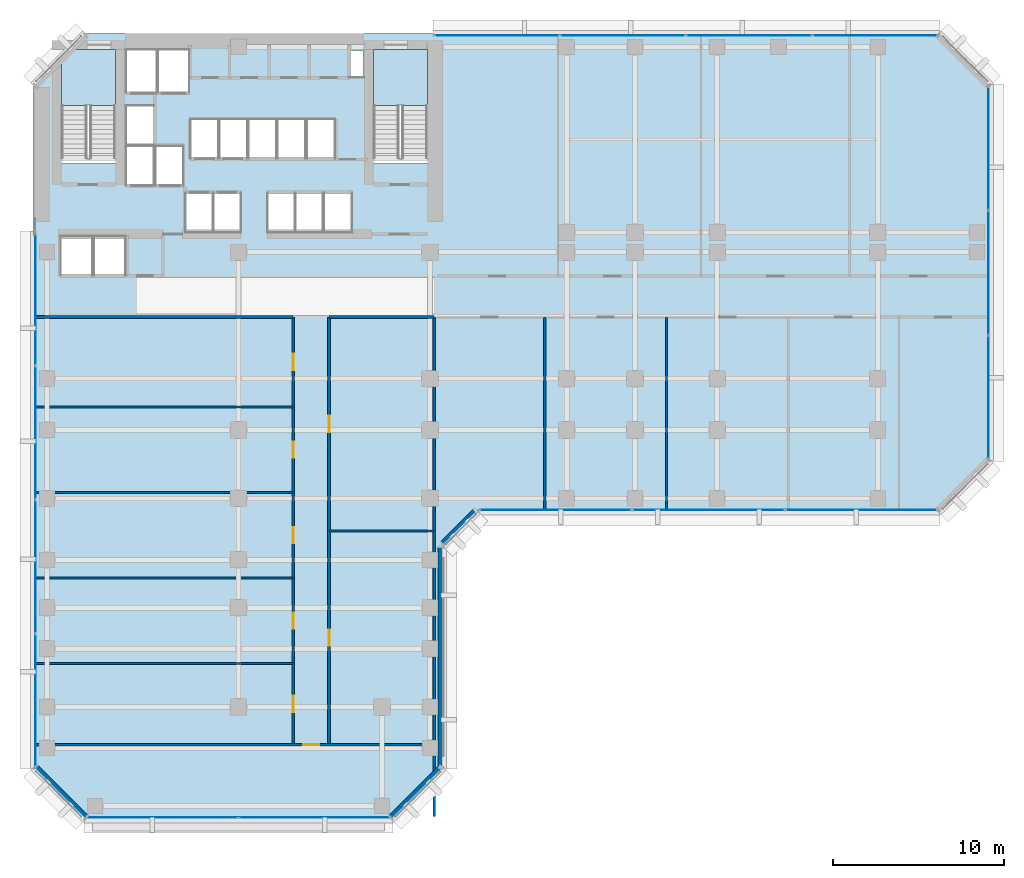
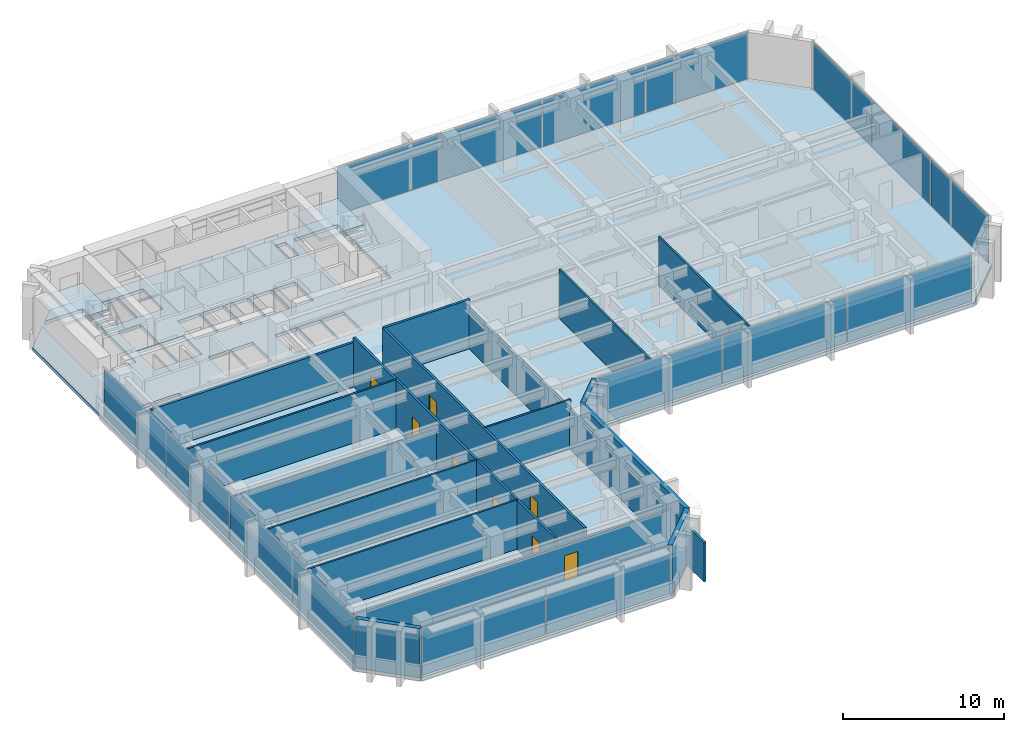
# One storey, part 6 of 13: 17 walls, 16 plates, 8 doors, 3 slabs, 8 openings, 7 elements without a shape of their own.
"""IFC4 building model written with IfcOpenShell, lengths in metres."""

from ifc_helpers import new_model, si_unit, direction, frame, frame_2d, origin, origin_2d, place, context, subcontext, project, spatial, polyline, rectangle, outline, extrude, material, layer, layer_set, type_object, element, fill, aggregate, save


model = new_model("IFC4")

# Units and contexts
model_context = context("Model", 3, precision=1e-05, world=origin(), true_north=direction((0.0, 1.0)))
body_context = subcontext(model_context, "Body", "Model", "MODEL_VIEW")
ifc_project = project(units=[si_unit("LENGTHUNIT", "METRE"), si_unit("AREAUNIT", "SQUARE_METRE"), si_unit("VOLUMEUNIT", "CUBIC_METRE"), si_unit("PLANEANGLEUNIT", "RADIAN"), si_unit("MASSUNIT", "GRAM", prefix="KILO")], contexts=[model_context])

# Site, building, storey
site_placement = place(None, origin())
site = spatial("IfcSite", under=ifc_project, at=site_placement, CompositionType="ELEMENT")
building_placement = place(site_placement, origin())
building = spatial("IfcBuilding", under=site, at=building_placement, Name="Kefirva Bronze Tower", CompositionType="ELEMENT")
storey_placement = place(building_placement, frame((0.0, 0.0, 58.080078125)))
storey = spatial("IfcBuildingStorey", under=building, at=storey_placement, Name="L13", CompositionType="ELEMENT", Elevation=58.080078125)

# Stair, slab
ifc_material_1 = material(Name="Concrete C40/50", Category="concrete")
stair_type = type_object("IfcStairType", Name="RC Dogleg Protected Stair 24R", PredefinedType="HALF_TURN_STAIR", material=ifc_material_1)
stair_1_placement = place(storey_placement, origin())
stair_1 = element("IfcStair", 1, at=stair_1_placement, inside=storey, type_object=stair_type, Name="L13 Protected Exit Stair 1", PredefinedType="HALF_TURN_STAIR")
ifc_layer_1 = layer(ifc_material_1, 0.199951171875, Name="Concrete C40/50")
ifc_layer_set_1 = layer_set([ifc_layer_1], Name="Concrete C40/50")
slab_type_1 = type_object("IfcSlabType", Name="RC Stair Landing Slab 200mm", PredefinedType="LANDING", material=ifc_layer_set_1)
slab_1_placement = place(storey_placement, frame((0.0, 0.0, 1.780029296875)))
slab_1 = element("IfcSlab", 2, at=slab_1_placement, type_object=slab_type_1, Name="ST-1 landing 1", PredefinedType="LANDING", context=body_context, shape_type="SweptSolid", body=[
    extrude(outline(polyline([(4.800048828125, 41.780029296875), (4.800048828125, 45.050048828125), (1.64990234375, 45.050048828125), (1.64990234375, 41.780029296875), (4.800048828125, 41.780029296875)])), origin(), (0.0, 0.0, 1.0), 0.199951171875),
])
aggregate(stair_1, [slab_1])

stair_2_placement = place(storey_placement, origin())
stair_2 = element("IfcStair", 3, at=stair_2_placement, inside=storey, type_object=stair_type, Name="L13 Protected Exit Stair 2", PredefinedType="HALF_TURN_STAIR")
slab_2_placement = place(storey_placement, frame((0.0, 0.0, 1.780029296875)))
slab_2 = element("IfcSlab", 4, at=slab_2_placement, type_object=slab_type_1, Name="ST-2 landing 1", PredefinedType="LANDING", context=body_context, shape_type="SweptSolid", body=[
    extrude(outline(polyline([(23.050048828125, 41.780029296875), (23.050048828125, 45.050048828125), (19.89990234375, 45.050048828125), (19.89990234375, 41.780029296875), (23.050048828125, 41.780029296875)])), origin(), (0.0, 0.0, 1.0), 0.199951171875),
])
aggregate(stair_2, [slab_2])

# Slab
ifc_layer_2 = layer(ifc_material_1, 0.25, Name="Concrete C40/50")
ifc_layer_set_2 = layer_set([ifc_layer_2], Name="Concrete C40/50")
slab_type_2 = type_object("IfcSlabType", Name="RC Tower Floor Slab 250mm", PredefinedType="FLOOR", material=ifc_layer_set_2)
slab_3_placement = place(storey_placement, frame((0.0, 0.0, -0.25)))
element("IfcSlab", 5, at=slab_3_placement, inside=storey, type_object=slab_type_2, Name="L13 Structural Floor Slab", PredefinedType="FLOOR", context=body_context, shape_type="SweptSolid", body=[
    extrude(outline(polyline([(0.0, 3.0), (0.0, 43.0), (1.64990234375, 44.64990234375), (1.64990234375, 38.39990234375), (4.800048828125, 38.39990234375), (4.800048828125, 45.050048828125), (2.050048828125, 45.050048828125), (3.0, 46.0), (53.0, 46.0), (56.0, 43.0), (56.0, 21.0), (53.0, 18.0), (26.0, 18.0), (24.0, 16.0), (24.0, 3.0), (21.0, 0.0), (3.0, 0.0), (0.0, 3.0)]), holes=[polyline([(19.89990234375, 38.39990234375), (23.050048828125, 38.39990234375), (23.050048828125, 45.050048828125), (19.89990234375, 45.050048828125), (19.89990234375, 38.39990234375)]), polyline([(18.52001953125, 43.419921875), (19.320068359375, 43.419921875), (19.320068359375, 45.0), (18.52001953125, 45.0), (18.52001953125, 43.419921875)]), polyline([(17.0, 34.35009765625), (18.64990234375, 34.35009765625), (18.64990234375, 36.64990234375), (17.0, 36.64990234375), (17.0, 34.35009765625)]), polyline([(17.64990234375, 38.679931640625), (17.64990234375, 40.97998046875), (16.0, 40.97998046875), (16.0, 38.679931640625), (17.64990234375, 38.679931640625)]), polyline([(16.949951171875, 34.35009765625), (16.949951171875, 36.64990234375), (15.35009765625, 36.64990234375), (15.35009765625, 34.35009765625), (16.949951171875, 34.35009765625)]), polyline([(15.929931640625, 38.679931640625), (15.929931640625, 40.97998046875), (14.300048828125, 40.97998046875), (14.300048828125, 38.679931640625), (15.929931640625, 38.679931640625)]), polyline([(15.300048828125, 34.35009765625), (15.300048828125, 36.64990234375), (13.699951171875, 36.64990234375), (13.699951171875, 34.35009765625), (15.300048828125, 34.35009765625)]), polyline([(14.22998046875, 38.679931640625), (14.22998046875, 40.97998046875), (12.60009765625, 40.97998046875), (12.60009765625, 38.679931640625), (14.22998046875, 38.679931640625)]), polyline([(10.89990234375, 38.679931640625), (12.530029296875, 38.679931640625), (12.530029296875, 40.97998046875), (10.89990234375, 40.97998046875), (10.89990234375, 38.679931640625)]), polyline([(12.139892578125, 34.35009765625), (12.139892578125, 36.64990234375), (10.5400390625, 36.64990234375), (10.5400390625, 34.35009765625), (12.139892578125, 34.35009765625)]), polyline([(10.830078125, 38.679931640625), (10.830078125, 40.97998046875), (9.199951171875, 40.97998046875), (9.199951171875, 38.679931640625), (10.830078125, 38.679931640625)]), polyline([(10.5, 34.35009765625), (10.5, 36.64990234375), (8.89990234375, 36.64990234375), (8.89990234375, 34.35009765625), (10.5, 34.35009765625)]), polyline([(7.300048828125, 42.550048828125), (9.1201171875, 42.550048828125), (9.1201171875, 45.050048828125), (7.300048828125, 45.050048828125), (7.300048828125, 42.550048828125)]), polyline([(7.139892578125, 37.10009765625), (8.780029296875, 37.10009765625), (8.780029296875, 39.39990234375), (7.139892578125, 39.39990234375), (7.139892578125, 37.10009765625)]), polyline([(5.419921875, 42.550048828125), (7.239990234375, 42.550048828125), (7.239990234375, 45.050048828125), (5.419921875, 45.050048828125), (5.419921875, 42.550048828125)]), polyline([(7.06005859375, 39.47998046875), (7.06005859375, 41.780029296875), (5.419921875, 41.780029296875), (5.419921875, 39.47998046875), (7.06005859375, 39.47998046875)]), polyline([(5.419921875, 37.10009765625), (7.06005859375, 37.10009765625), (7.06005859375, 39.39990234375), (5.419921875, 39.39990234375), (5.419921875, 37.10009765625)]), polyline([(5.39990234375, 31.85009765625), (5.39990234375, 34.14990234375), (3.550048828125, 34.14990234375), (3.550048828125, 31.85009765625), (5.39990234375, 31.85009765625)]), polyline([(3.449951171875, 31.85009765625), (3.449951171875, 34.14990234375), (1.60009765625, 34.14990234375), (1.60009765625, 31.85009765625), (3.449951171875, 31.85009765625)])]), origin(), (0.0, 0.0, 1.0), 0.25),
])

# Curtain wall, plates
ifc_material_2 = material(Name="Bronze anodised aluminium", Category="aluminium")
ifc_layer_3 = layer(ifc_material_2, 0.199951171875, Name="Bronze anodised aluminium")
ifc_layer_set_3 = layer_set([ifc_layer_3], Name="Bronze anodised aluminium")
curtain_wall_type = type_object("IfcCurtainWallType", Name="Unitised Bronze Ribbon Curtain Wall Zone 1", PredefinedType="USERDEFINED", material=ifc_layer_set_3)
curtain_wall_1_placement = place(storey_placement, origin())
curtain_wall_1 = element("IfcCurtainWall", 6, at=curtain_wall_1_placement, inside=storey, type_object=curtain_wall_type, Name="L13 Curtain Wall 1", ObjectType="UNITISED CURTAIN WALL", PredefinedType="USERDEFINED")
ifc_material_3 = material(Name="Laminated low-E double glazing", Category="glass")
ifc_layer_4 = layer(ifc_material_3, 0.031982421875, Name="Laminated low-E double glazing")
ifc_layer_set_4 = layer_set([ifc_layer_4], Name="Laminated low-E double glazing")
plate_type = type_object("IfcPlateType", Name="Solar-Control Low-E Vision Panel 32mm", PredefinedType="CURTAIN_PANEL", material=ifc_layer_set_4)
plate_1_placement = place(storey_placement, frame((7.546142578125, 0.1201171875, 0.074951171875), z_axis=(0.0, 0.0, 1.0), x_axis=(1.0, 0.0, 0.0)))
plate_1 = element("IfcPlate", 7, at=plate_1_placement, type_object=plate_type, Name="CW-01 panel 1.1", PredefinedType="CURTAIN_PANEL", context=body_context, shape_type="SweptSolid", body=[
    extrude(rectangle(XDim=8.83251953125, YDim=0.031982421875, at=origin_2d()), origin(), (0.0, 0.0, 1.0), 3.56005859375),
])
plate_2_placement = place(storey_placement, frame((16.453857421875, 0.1201171875, 0.074951171875), z_axis=(0.0, 0.0, 1.0), x_axis=(1.0, 0.0, 0.0)))
plate_2 = element("IfcPlate", 8, at=plate_2_placement, type_object=plate_type, Name="CW-01 panel 2.1", PredefinedType="CURTAIN_PANEL", context=body_context, shape_type="SweptSolid", body=[
    extrude(rectangle(XDim=8.83251953125, YDim=0.031982421875, at=origin_2d()), origin(), (0.0, 0.0, 1.0), 3.56005859375),
])
aggregate(curtain_wall_1, [plate_1, plate_2])

curtain_wall_2_placement = place(storey_placement, origin())
curtain_wall_2 = element("IfcCurtainWall", 9, at=curtain_wall_2_placement, inside=storey, type_object=curtain_wall_type, Name="L13 Curtain Wall 2", ObjectType="UNITISED CURTAIN WALL", PredefinedType="USERDEFINED")
plate_3_placement = place(storey_placement, frame((30.555419921875, 18.1201171875, 0.074951171875), z_axis=(0.0, 0.0, 1.0), x_axis=(1.0, 0.0, 0.0)))
plate_3 = element("IfcPlate", 10, at=plate_3_placement, type_object=plate_type, Name="CW-01 panel 1.1", PredefinedType="CURTAIN_PANEL", context=body_context, shape_type="SweptSolid", body=[
    extrude(rectangle(XDim=8.850830078125, YDim=0.031982421875, at=origin_2d()), origin(), (0.0, 0.0, 1.0), 3.56005859375),
])
plate_4_placement = place(storey_placement, frame((39.5, 18.1201171875, 0.074951171875), z_axis=(0.0, 0.0, 1.0), x_axis=(1.0, 0.0, 0.0)))
plate_4 = element("IfcPlate", 11, at=plate_4_placement, type_object=plate_type, Name="CW-01 panel 2.1", PredefinedType="CURTAIN_PANEL", context=body_context, shape_type="SweptSolid", body=[
    extrude(rectangle(XDim=8.888427734375, YDim=0.031982421875, at=origin_2d()), origin(), (0.0, 0.0, 1.0), 3.56005859375),
])
plate_5_placement = place(storey_placement, frame((48.444580078125, 18.1201171875, 0.074951171875), z_axis=(0.0, 0.0, 1.0), x_axis=(1.0, 0.0, 0.0)))
plate_5 = element("IfcPlate", 12, at=plate_5_placement, type_object=plate_type, Name="CW-01 panel 3.1", PredefinedType="CURTAIN_PANEL", context=body_context, shape_type="SweptSolid", body=[
    extrude(rectangle(XDim=8.850830078125, YDim=0.031982421875, at=origin_2d()), origin(), (0.0, 0.0, 1.0), 3.56005859375),
])
aggregate(curtain_wall_2, [plate_3, plate_4, plate_5])

curtain_wall_3_placement = place(storey_placement, origin())
curtain_wall_3 = element("IfcCurtainWall", 13, at=curtain_wall_3_placement, inside=storey, type_object=curtain_wall_type, Name="L13 Curtain Wall 3", ObjectType="UNITISED CURTAIN WALL", PredefinedType="USERDEFINED")
plate_6_placement = place(storey_placement, frame((55.8798828125, 24.72216796875, 0.074951171875), z_axis=(0.0, 0.0, 1.0), x_axis=(0.0, 1.0, 0.0)))
plate_6 = element("IfcPlate", 14, at=plate_6_placement, type_object=plate_type, Name="CW-01 panel 1.1", PredefinedType="CURTAIN_PANEL", context=body_context, shape_type="SweptSolid", body=[
    extrude(rectangle(XDim=7.18408203125, YDim=0.031982421875, at=origin_2d()), origin(), (0.0, 0.0, 1.0), 3.56005859375),
])
plate_7_placement = place(storey_placement, frame((55.8798828125, 32.0, 0.074951171875), z_axis=(0.0, 0.0, 1.0), x_axis=(0.0, 1.0, 0.0)))
plate_7 = element("IfcPlate", 15, at=plate_7_placement, type_object=plate_type, Name="CW-01 panel 2.1", PredefinedType="CURTAIN_PANEL", context=body_context, shape_type="SweptSolid", body=[
    extrude(rectangle(XDim=7.2216796875, YDim=0.031982421875, at=origin_2d()), origin(), (0.0, 0.0, 1.0), 3.56005859375),
])
plate_8_placement = place(storey_placement, frame((55.8798828125, 39.27783203125, 0.074951171875), z_axis=(0.0, 0.0, 1.0), x_axis=(0.0, 1.0, 0.0)))
plate_8 = element("IfcPlate", 16, at=plate_8_placement, type_object=plate_type, Name="CW-01 panel 3.1", PredefinedType="CURTAIN_PANEL", context=body_context, shape_type="SweptSolid", body=[
    extrude(rectangle(XDim=7.18408203125, YDim=0.031982421875, at=origin_2d()), origin(), (0.0, 0.0, 1.0), 3.56005859375),
])
aggregate(curtain_wall_3, [plate_6, plate_7, plate_8])

curtain_wall_4_placement = place(storey_placement, origin())
curtain_wall_4 = element("IfcCurtainWall", 17, at=curtain_wall_4_placement, inside=storey, type_object=curtain_wall_type, Name="L13 Curtain Wall 4", ObjectType="UNITISED CURTAIN WALL", PredefinedType="USERDEFINED")
plate_9_placement = place(storey_placement, frame((49.233642578125, 45.8798828125, 0.074951171875), z_axis=(0.0, 0.0, 1.0), x_axis=(-1.0, 0.0, 0.0)))
plate_9 = element("IfcPlate", 18, at=plate_9_placement, type_object=plate_type, Name="CW-01 panel 1.1", PredefinedType="CURTAIN_PANEL", context=body_context, shape_type="SweptSolid", body=[
    extrude(rectangle(XDim=7.2724609375, YDim=0.031982421875, at=origin_2d()), origin(), (0.0, 0.0, 1.0), 3.56005859375),
])
plate_10_placement = place(storey_placement, frame((41.867431640625, 45.8798828125, 0.074951171875), z_axis=(0.0, 0.0, 1.0), x_axis=(-1.0, 0.0, 0.0)))
plate_10 = element("IfcPlate", 19, at=plate_10_placement, type_object=plate_type, Name="CW-01 panel 2.1", PredefinedType="CURTAIN_PANEL", context=body_context, shape_type="SweptSolid", body=[
    extrude(rectangle(XDim=7.31005859375, YDim=0.031982421875, at=origin_2d()), origin(), (0.0, 0.0, 1.0), 3.56005859375),
])
plate_11_placement = place(storey_placement, frame((34.482421875, 45.8798828125, 0.074951171875), z_axis=(0.0, 0.0, 1.0), x_axis=(-1.0, 0.0, 0.0)))
plate_11 = element("IfcPlate", 20, at=plate_11_placement, type_object=plate_type, Name="CW-01 panel 3.1", PredefinedType="CURTAIN_PANEL", context=body_context, shape_type="SweptSolid", body=[
    extrude(rectangle(XDim=7.31005859375, YDim=0.031982421875, at=origin_2d()), origin(), (0.0, 0.0, 1.0), 3.56005859375),
])
plate_12_placement = place(storey_placement, frame((27.1162109375, 45.8798828125, 0.074951171875), z_axis=(0.0, 0.0, 1.0), x_axis=(-1.0, 0.0, 0.0)))
plate_12 = element("IfcPlate", 21, at=plate_12_placement, type_object=plate_type, Name="CW-01 panel 4.1", PredefinedType="CURTAIN_PANEL", context=body_context, shape_type="SweptSolid", body=[
    extrude(rectangle(XDim=7.2724609375, YDim=0.031982421875, at=origin_2d()), origin(), (0.0, 0.0, 1.0), 3.56005859375),
])
aggregate(curtain_wall_4, [plate_9, plate_10, plate_11, plate_12])

curtain_wall_5_placement = place(storey_placement, origin())
curtain_wall_5 = element("IfcCurtainWall", 22, at=curtain_wall_5_placement, inside=storey, type_object=curtain_wall_type, Name="L13 Curtain Wall 5", ObjectType="UNITISED CURTAIN WALL", PredefinedType="USERDEFINED")
plate_13_placement = place(storey_placement, frame((0.1201171875, 30.458740234375, 0.074951171875), z_axis=(0.0, 0.0, 1.0), x_axis=(0.0, -1.0, 0.0)))
plate_13 = element("IfcPlate", 23, at=plate_13_placement, type_object=plate_type, Name="CW-01 panel 1.1", PredefinedType="CURTAIN_PANEL", context=body_context, shape_type="SweptSolid", body=[
    extrude(rectangle(XDim=7.722412109375, YDim=0.031982421875, at=origin_2d()), origin(), (0.0, 0.0, 1.0), 3.56005859375),
])
plate_14_placement = place(storey_placement, frame((0.1201171875, 22.642578125, 0.074951171875), z_axis=(0.0, 0.0, 1.0), x_axis=(0.0, -1.0, 0.0)))
plate_14 = element("IfcPlate", 24, at=plate_14_placement, type_object=plate_type, Name="CW-01 panel 2.1", PredefinedType="CURTAIN_PANEL", context=body_context, shape_type="SweptSolid", body=[
    extrude(rectangle(XDim=7.760009765625, YDim=0.031982421875, at=origin_2d()), origin(), (0.0, 0.0, 1.0), 3.56005859375),
])
plate_15_placement = place(storey_placement, frame((0.1201171875, 14.8076171875, 0.074951171875), z_axis=(0.0, 0.0, 1.0), x_axis=(0.0, -1.0, 0.0)))
plate_15 = element("IfcPlate", 25, at=plate_15_placement, type_object=plate_type, Name="CW-01 panel 3.1", PredefinedType="CURTAIN_PANEL", context=body_context, shape_type="SweptSolid", body=[
    extrude(rectangle(XDim=7.760009765625, YDim=0.031982421875, at=origin_2d()), origin(), (0.0, 0.0, 1.0), 3.56005859375),
])
plate_16_placement = place(storey_placement, frame((0.1201171875, 6.9912109375, 0.074951171875), z_axis=(0.0, 0.0, 1.0), x_axis=(0.0, -1.0, 0.0)))
plate_16 = element("IfcPlate", 26, at=plate_16_placement, type_object=plate_type, Name="CW-01 panel 4.1", PredefinedType="CURTAIN_PANEL", context=body_context, shape_type="SweptSolid", body=[
    extrude(rectangle(XDim=7.722412109375, YDim=0.031982421875, at=origin_2d()), origin(), (0.0, 0.0, 1.0), 3.56005859375),
])
aggregate(curtain_wall_5, [plate_13, plate_14, plate_15, plate_16])

# Walls
ifc_material_4 = material(Name="Gypsum acoustic partition")
ifc_layer_5 = layer(ifc_material_4, 0.1298828125, Name="Gypsum acoustic partition")
ifc_layer_set_5 = layer_set([ifc_layer_5], Name="Gypsum acoustic partition")
wall_type_1 = type_object("IfcWallType", Name="Acoustic Office Partition 130mm", PredefinedType="PARTITIONING", material=ifc_layer_set_5)
for number, where, z_axis, x_axis, name in (
    (27, (0.18994140625, 9.141845703125, 0.0), (0.0, 0.0, 1.0), (1.0, 0.0, 0.0), "L13 Partition W-L13-SWD1"),
    (28, (0.18994140625, 14.143798828125, 0.0), (0.0, 0.0, 1.0), (1.0, 0.0, 0.0), "L13 Partition W-L13-SWD2"),
):
    element("IfcWall", number, at=place(storey_placement, frame(where, z_axis=z_axis, x_axis=x_axis)), inside=storey, type_object=wall_type_1, Name=name, PredefinedType="PARTITIONING", context=body_context, shape_type="SweptSolid", body=[
        extrude(rectangle(XDim=15.010009765625, YDim=0.1298828125, at=frame_2d((7.5048828125, 0.0))), origin(), (0.0, 0.0, 1.0), 3.7099609375),
    ])
wall_1_placement = place(storey_placement, frame((0.18994140625, 19.14599609375, 0.0), z_axis=(0.0, 0.0, 1.0), x_axis=(1.0, 0.0, 0.0)))
element("IfcWall", 29, at=wall_1_placement, inside=storey, type_object=wall_type_1, Name="L13 Partition W-L13-SWD3", PredefinedType="PARTITIONING", context=body_context, shape_type="SweptSolid", body=[
    extrude(rectangle(XDim=15.010009765625, YDim=0.1298828125, at=frame_2d((7.5048828125, 0.0))), origin(), (0.0, 0.0, 1.0), 2.994873046875),
])
wall_2_placement = place(storey_placement, frame((0.18994140625, 24.14794921875, 0.0), z_axis=(0.0, 0.0, 1.0), x_axis=(1.0, 0.0, 0.0)))
element("IfcWall", 30, at=wall_2_placement, inside=storey, type_object=wall_type_1, Name="L13 Partition W-L13-SWD4", PredefinedType="PARTITIONING", context=body_context, shape_type="SweptSolid", body=[
    extrude(rectangle(XDim=15.010009765625, YDim=0.1298828125, at=frame_2d((7.5048828125, 0.0))), origin(), (0.0, 0.0, 1.0), 3.7099609375),
])
wall_3_placement = place(storey_placement, frame((17.300048828125, 16.89501953125, 0.0), z_axis=(0.0, 0.0, 1.0), x_axis=(1.0, 0.0, 0.0)))
element("IfcWall", 31, at=wall_3_placement, inside=storey, type_object=wall_type_1, Name="L13 Partition W-L13-SED1", PredefinedType="PARTITIONING", context=body_context, shape_type="SweptSolid", body=[
    extrude(rectangle(XDim=6.14990234375, YDim=0.1298828125, at=frame_2d((3.074951171875, 0.0))), origin(), (0.0, 0.0, 1.0), 3.7099609375),
])
for number, where, z_axis, x_axis, name in (
    (32, (29.922119140625, 18.18994140625, 0.0), (0.0, 0.0, 1.0), (0.0, 1.0, 0.0), "L13 Partition W-L13-ESD1"),
    (33, (37.041259765625, 18.18994140625, 0.0), (0.0, 0.0, 1.0), (0.0, 1.0, 0.0), "L13 Partition W-L13-ESD2"),
):
    element("IfcWall", number, at=place(storey_placement, frame(where, z_axis=z_axis, x_axis=x_axis)), inside=storey, type_object=wall_type_1, Name=name, PredefinedType="PARTITIONING", context=body_context, shape_type="SweptSolid", body=[
        extrude(rectangle(XDim=11.2099609375, YDim=0.1298828125, at=frame_2d((5.60498046875, 0.0))), origin(), (0.0, 0.0, 1.0), 3.7099609375),
    ])
ifc_material_5 = material(Name="Precast concrete C40/50", Category="concrete")
ifc_layer_6 = layer(ifc_material_5, 0.320068359375, Name="Precast concrete C40/50")
ifc_layer_set_6 = layer_set([ifc_layer_6], Name="Precast concrete C40/50")
wall_type_2 = type_object("IfcWallType", Name="Precast Insulated Exterior Wall 320mm", PredefinedType="SOLIDWALL", material=ifc_layer_set_6)
wall_4_placement = place(storey_placement, frame((20.92578125, 0.152099609375, 0.0), z_axis=(0.0, 0.0, 1.0), x_axis=(0.707106781187, 0.707106781187, 0.0)))
element("IfcWall", 34, at=wall_4_placement, inside=storey, type_object=wall_type_2, Name="L13 Exterior Facade Wall 1", PredefinedType="SOLIDWALL", context=body_context, shape_type="SweptSolid", body=[
    extrude(rectangle(XDim=4.132568359375, YDim=0.320068359375, at=frame_2d((2.06640625, 0.0))), origin(), (0.0, 0.0, 1.0), 3.7099609375),
])
wall_5_placement = place(storey_placement, frame((23.840087890625, 3.054931640625, 0.0), z_axis=(0.0, 0.0, 1.0), x_axis=(0.0, 1.0, 0.0)))
element("IfcWall", 35, at=wall_5_placement, inside=storey, type_object=wall_type_2, Name="L13 Exterior Facade Wall 2", PredefinedType="SOLIDWALL", context=body_context, shape_type="SweptSolid", body=[
    extrude(rectangle(XDim=12.89013671875, YDim=0.320068359375, at=frame_2d((6.445068359375, 0.0))), origin(), (0.0, 0.0, 1.0), 3.7099609375),
])
wall_6_placement = place(storey_placement, frame((23.92578125, 16.152099609375, 0.0), z_axis=(0.0, 0.0, 1.0), x_axis=(0.707106781187, 0.707106781187, 0.0)))
element("IfcWall", 36, at=wall_6_placement, inside=storey, type_object=wall_type_2, Name="L13 Exterior Facade Wall 3", PredefinedType="SOLIDWALL", context=body_context, shape_type="SweptSolid", body=[
    extrude(rectangle(XDim=2.71826171875, YDim=0.320068359375, at=frame_2d((1.359130859375, 0.0))), origin(), (0.0, 0.0, 1.0), 3.7099609375),
])
wall_7_placement = place(storey_placement, frame((0.152099609375, 3.07421875, 0.0), z_axis=(0.0, 0.0, 1.0), x_axis=(0.707106781187, -0.707106781187, 0.0)))
element("IfcWall", 37, at=wall_7_placement, inside=storey, type_object=wall_type_2, Name="L13 Exterior Facade Wall 7", PredefinedType="SOLIDWALL", context=body_context, shape_type="SweptSolid", body=[
    extrude(rectangle(XDim=4.132568359375, YDim=0.320068359375, at=frame_2d((2.06640625, 0.0))), origin(), (0.0, 0.0, 1.0), 3.7099609375),
])

# Wall, openings, doors
ifc_layer_7 = layer(ifc_material_4, 0.159912109375, Name="Gypsum acoustic partition")
ifc_layer_set_7 = layer_set([ifc_layer_7], Name="Gypsum acoustic partition")
wall_type_3 = type_object("IfcWallType", Name="Protected Corridor Partition 160mm", PredefinedType="PARTITIONING", material=ifc_layer_set_7)
wall_8_placement = place(storey_placement, frame((15.199951171875, 4.389892578125, 0.0), z_axis=(0.0, 0.0, 1.0), x_axis=(0.0, 1.0, 0.0)))
wall_8 = element("IfcWall", 38, at=wall_8_placement, inside=storey, type_object=wall_type_3, Name="L13 Partition W-L13-SWCORW", PredefinedType="PARTITIONING", context=body_context, shape_type="SweptSolid", body=[
    extrude(rectangle(XDim=25.010009765625, YDim=0.159912109375, at=frame_2d((12.5048828125, 0.0))), origin(), (0.0, 0.0, 1.0), 3.7099609375),
])
opening_1_placement = place(wall_8_placement, frame((2.850830078125, 0.0, 0.0), z_axis=(0.0, 0.0, 1.0), x_axis=(-1.0, 0.0, 0.0)))
opening_1 = element("IfcOpeningElement", 39, at=opening_1_placement, cuts=wall_8, Name="Opening L13-D-SW1", PredefinedType="OPENING", context=body_context, shape_type="SweptSolid", body=[
    extrude(rectangle(XDim=0.949951171875, YDim=2.14990234375, at=frame_2d((0.47509765625, 1.074951171875))), frame((0.0, 0.08984375, 0.0), z_axis=(0.0, -1.0, 0.0), x_axis=(1.0, 0.0, 0.0)), (0.0, 0.0, 1.0), 0.179931640625),
])
opening_2_placement = place(wall_8_placement, frame((7.727783203125, 0.0, 0.0), z_axis=(0.0, 0.0, 1.0), x_axis=(-1.0, 0.0, 0.0)))
opening_2 = element("IfcOpeningElement", 40, at=opening_2_placement, cuts=wall_8, Name="Opening L13-D-SW2", PredefinedType="OPENING", context=body_context, shape_type="SweptSolid", body=[
    extrude(rectangle(XDim=0.949951171875, YDim=2.14990234375, at=frame_2d((0.47509765625, 1.074951171875))), frame((0.0, 0.08984375, 0.0), z_axis=(0.0, -1.0, 0.0), x_axis=(1.0, 0.0, 0.0)), (0.0, 0.0, 1.0), 0.179931640625),
])
opening_3_placement = place(wall_8_placement, frame((12.729736328125, 0.0, 0.0), z_axis=(0.0, 0.0, 1.0), x_axis=(-1.0, 0.0, 0.0)))
opening_3 = element("IfcOpeningElement", 41, at=opening_3_placement, cuts=wall_8, Name="Opening L13-D-SW3", PredefinedType="OPENING", context=body_context, shape_type="SweptSolid", body=[
    extrude(rectangle(XDim=0.949951171875, YDim=2.14990234375, at=frame_2d((0.47509765625, 1.074951171875))), frame((0.0, 0.08984375, 0.0), z_axis=(0.0, -1.0, 0.0), x_axis=(1.0, 0.0, 0.0)), (0.0, 0.0, 1.0), 0.179931640625),
])
opening_4_placement = place(wall_8_placement, frame((17.73193359375, 0.0, 0.0), z_axis=(0.0, 0.0, 1.0), x_axis=(-1.0, 0.0, 0.0)))
opening_4 = element("IfcOpeningElement", 42, at=opening_4_placement, cuts=wall_8, Name="Opening L13-D-SW4", PredefinedType="OPENING", context=body_context, shape_type="SweptSolid", body=[
    extrude(rectangle(XDim=0.949951171875, YDim=2.14990234375, at=frame_2d((0.47509765625, 1.074951171875))), frame((0.0, 0.08984375, 0.0), z_axis=(0.0, -1.0, 0.0), x_axis=(1.0, 0.0, 0.0)), (0.0, 0.0, 1.0), 0.179931640625),
])
opening_5_placement = place(wall_8_placement, frame((22.85888671875, 0.0, 0.0), z_axis=(0.0, 0.0, 1.0), x_axis=(-1.0, 0.0, 0.0)))
opening_5 = element("IfcOpeningElement", 43, at=opening_5_placement, cuts=wall_8, Name="Opening L13-D-SW5", PredefinedType="OPENING", context=body_context, shape_type="SweptSolid", body=[
    extrude(rectangle(XDim=0.949951171875, YDim=2.14990234375, at=frame_2d((0.47509765625, 1.074951171875))), frame((0.0, 0.08984375, 0.0), z_axis=(0.0, -1.0, 0.0), x_axis=(1.0, 0.0, 0.0)), (0.0, 0.0, 1.0), 0.179931640625),
])
ifc_material_6 = material(Name="Acoustic hardwood oak", Category="wood")
door_type = type_object("IfcDoorType", Name="Office & Meeting Room Door 950x2150", OperationType="NOTDEFINED", PredefinedType="DOOR", material=ifc_material_6)
door_1_placement = place(opening_1_placement, origin())
door_1 = element("IfcDoor", 44, at=door_1_placement, inside=storey, type_object=door_type, Name="Door L13-D-SW1", OperationType="SINGLE_SWING_RIGHT", OverallHeight=2.14990234375, OverallWidth=0.949951171875, PredefinedType="DOOR", context=body_context, shape_type="SweptSolid", body=[
    extrude(rectangle(XDim=0.949951171875, YDim=2.14990234375, at=frame_2d((0.47509765625, 1.074951171875))), frame((0.0, 0.02490234375, 0.0), z_axis=(0.0, -1.0, 0.0), x_axis=(1.0, 0.0, 0.0)), (0.0, 0.0, 1.0), 0.050048828125),
])
fill(opening_1, door_1)
door_2_placement = place(opening_2_placement, origin())
door_2 = element("IfcDoor", 45, at=door_2_placement, inside=storey, type_object=door_type, Name="Door L13-D-SW2", OperationType="SINGLE_SWING_LEFT", OverallHeight=2.14990234375, OverallWidth=0.949951171875, PredefinedType="DOOR", context=body_context, shape_type="SweptSolid", body=[
    extrude(rectangle(XDim=0.949951171875, YDim=2.14990234375, at=frame_2d((0.47509765625, 1.074951171875))), frame((0.0, 0.02490234375, 0.0), z_axis=(0.0, -1.0, 0.0), x_axis=(1.0, 0.0, 0.0)), (0.0, 0.0, 1.0), 0.050048828125),
])
fill(opening_2, door_2)
door_3_placement = place(opening_3_placement, origin())
door_3 = element("IfcDoor", 46, at=door_3_placement, inside=storey, type_object=door_type, Name="Door L13-D-SW3", OperationType="SINGLE_SWING_RIGHT", OverallHeight=2.14990234375, OverallWidth=0.949951171875, PredefinedType="DOOR", context=body_context, shape_type="SweptSolid", body=[
    extrude(rectangle(XDim=0.949951171875, YDim=2.14990234375, at=frame_2d((0.47509765625, 1.074951171875))), frame((0.0, 0.02490234375, 0.0), z_axis=(0.0, -1.0, 0.0), x_axis=(1.0, 0.0, 0.0)), (0.0, 0.0, 1.0), 0.050048828125),
])
fill(opening_3, door_3)
door_4_placement = place(opening_4_placement, origin())
door_4 = element("IfcDoor", 47, at=door_4_placement, inside=storey, type_object=door_type, Name="Door L13-D-SW4", OperationType="SINGLE_SWING_LEFT", OverallHeight=2.14990234375, OverallWidth=0.949951171875, PredefinedType="DOOR", context=body_context, shape_type="SweptSolid", body=[
    extrude(rectangle(XDim=0.949951171875, YDim=2.14990234375, at=frame_2d((0.47509765625, 1.074951171875))), frame((0.0, 0.02490234375, 0.0), z_axis=(0.0, -1.0, 0.0), x_axis=(1.0, 0.0, 0.0)), (0.0, 0.0, 1.0), 0.050048828125),
])
fill(opening_4, door_4)
door_5_placement = place(opening_5_placement, origin())
door_5 = element("IfcDoor", 48, at=door_5_placement, inside=storey, type_object=door_type, Name="Door L13-D-SW5", OperationType="SINGLE_SWING_RIGHT", OverallHeight=2.14990234375, OverallWidth=0.949951171875, PredefinedType="DOOR", context=body_context, shape_type="SweptSolid", body=[
    extrude(rectangle(XDim=0.949951171875, YDim=2.14990234375, at=frame_2d((0.47509765625, 1.074951171875))), frame((0.0, 0.02490234375, 0.0), z_axis=(0.0, -1.0, 0.0), x_axis=(1.0, 0.0, 0.0)), (0.0, 0.0, 1.0), 0.050048828125),
])
fill(opening_5, door_5)

wall_9_placement = place(storey_placement, frame((17.300048828125, 4.389892578125, 0.0), z_axis=(0.0, 0.0, 1.0), x_axis=(0.0, 1.0, 0.0)))
wall_9 = element("IfcWall", 49, at=wall_9_placement, inside=storey, type_object=wall_type_3, Name="L13 Partition W-L13-SECORE", PredefinedType="PARTITIONING", context=body_context, shape_type="SweptSolid", body=[
    extrude(rectangle(XDim=25.010009765625, YDim=0.159912109375, at=frame_2d((12.5048828125, 0.0))), origin(), (0.0, 0.0, 1.0), 3.7099609375),
])
opening_6_placement = place(wall_9_placement, frame((5.777587890625, 0.0, 0.0)))
opening_6 = element("IfcOpeningElement", 50, at=opening_6_placement, cuts=wall_9, Name="Opening L13-D-SE1", PredefinedType="OPENING", context=body_context, shape_type="SweptSolid", body=[
    extrude(rectangle(XDim=0.949951171875, YDim=2.14990234375, at=frame_2d((0.47509765625, 1.074951171875))), frame((0.0, 0.08984375, 0.0), z_axis=(0.0, -1.0, 0.0), x_axis=(1.0, 0.0, 0.0)), (0.0, 0.0, 1.0), 0.179931640625),
])
opening_7_placement = place(wall_9_placement, frame((18.282470703125, 0.0, 0.0)))
opening_7 = element("IfcOpeningElement", 51, at=opening_7_placement, cuts=wall_9, Name="Opening L13-D-SE2", PredefinedType="OPENING", context=body_context, shape_type="SweptSolid", body=[
    extrude(rectangle(XDim=0.949951171875, YDim=2.14990234375, at=frame_2d((0.47509765625, 1.074951171875))), frame((0.0, 0.08984375, 0.0), z_axis=(0.0, -1.0, 0.0), x_axis=(1.0, 0.0, 0.0)), (0.0, 0.0, 1.0), 0.179931640625),
])
door_6_placement = place(opening_6_placement, origin())
door_6 = element("IfcDoor", 52, at=door_6_placement, inside=storey, type_object=door_type, Name="Door L13-D-SE1", OperationType="SINGLE_SWING_LEFT", OverallHeight=2.14990234375, OverallWidth=0.949951171875, PredefinedType="DOOR", context=body_context, shape_type="SweptSolid", body=[
    extrude(rectangle(XDim=0.949951171875, YDim=2.14990234375, at=frame_2d((0.47509765625, 1.074951171875))), frame((0.0, 0.02490234375, 0.0), z_axis=(0.0, -1.0, 0.0), x_axis=(1.0, 0.0, 0.0)), (0.0, 0.0, 1.0), 0.050048828125),
])
fill(opening_6, door_6)
door_7_placement = place(opening_7_placement, origin())
door_7 = element("IfcDoor", 53, at=door_7_placement, inside=storey, type_object=door_type, Name="Door L13-D-SE2", OperationType="SINGLE_SWING_RIGHT", OverallHeight=2.14990234375, OverallWidth=0.949951171875, PredefinedType="DOOR", context=body_context, shape_type="SweptSolid", body=[
    extrude(rectangle(XDim=0.949951171875, YDim=2.14990234375, at=frame_2d((0.47509765625, 1.074951171875))), frame((0.0, 0.02490234375, 0.0), z_axis=(0.0, -1.0, 0.0), x_axis=(1.0, 0.0, 0.0)), (0.0, 0.0, 1.0), 0.050048828125),
])
fill(opening_7, door_7)

# Wall, opening, door
wall_10_placement = place(storey_placement, frame((0.18994140625, 4.389892578125, 0.0), z_axis=(0.0, 0.0, 1.0), x_axis=(1.0, 0.0, 0.0)))
wall_10 = element("IfcWall", 54, at=wall_10_placement, inside=storey, type_object=wall_type_3, Name="L13 Partition W-L13-SBEND", PredefinedType="PARTITIONING", context=body_context, shape_type="SweptSolid", body=[
    extrude(rectangle(XDim=23.260009765625, YDim=0.159912109375, at=frame_2d((11.6298828125, 0.0))), origin(), (0.0, 0.0, 1.0), 2.994873046875),
])
opening_8_placement = place(wall_10_placement, frame((15.590087890625, 0.0, 0.0)))
opening_8 = element("IfcOpeningElement", 55, at=opening_8_placement, cuts=wall_10, Name="Opening L13-D-SEND1", PredefinedType="OPENING", context=body_context, shape_type="SweptSolid", body=[
    extrude(rectangle(XDim=0.949951171875, YDim=2.14990234375, at=frame_2d((0.47509765625, 1.074951171875))), frame((0.0, 0.08984375, 0.0), z_axis=(0.0, -1.0, 0.0), x_axis=(1.0, 0.0, 0.0)), (0.0, 0.0, 1.0), 0.179931640625),
])
door_8_placement = place(opening_8_placement, origin())
door_8 = element("IfcDoor", 56, at=door_8_placement, inside=storey, type_object=door_type, Name="Door L13-D-SEND1", OperationType="SINGLE_SWING_LEFT", OverallHeight=2.14990234375, OverallWidth=0.949951171875, PredefinedType="DOOR", context=body_context, shape_type="SweptSolid", body=[
    extrude(rectangle(XDim=0.949951171875, YDim=2.14990234375, at=frame_2d((0.47509765625, 1.074951171875))), frame((0.0, 0.02490234375, 0.0), z_axis=(0.0, -1.0, 0.0), x_axis=(1.0, 0.0, 0.0)), (0.0, 0.0, 1.0), 0.050048828125),
])
fill(opening_8, door_8)

# Walls
wall_11_placement = place(storey_placement, frame((0.18994140625, 29.39990234375, 0.0), z_axis=(0.0, 0.0, 1.0), x_axis=(1.0, 0.0, 0.0)))
element("IfcWall", 57, at=wall_11_placement, inside=storey, type_object=wall_type_3, Name="L13 Partition W-L13-NWT", PredefinedType="PARTITIONING", context=body_context, shape_type="SweptSolid", body=[
    extrude(rectangle(XDim=15.010009765625, YDim=0.159912109375, at=frame_2d((7.5048828125, 0.0))), origin(), (0.0, 0.0, 1.0), 3.364990234375),
])
wall_12_placement = place(storey_placement, frame((17.300048828125, 29.39990234375, 0.0), z_axis=(0.0, 0.0, 1.0), x_axis=(1.0, 0.0, 0.0)))
element("IfcWall", 58, at=wall_12_placement, inside=storey, type_object=wall_type_3, Name="L13 Partition W-L13-NET", PredefinedType="PARTITIONING", context=body_context, shape_type="SweptSolid", body=[
    extrude(rectangle(XDim=6.14990234375, YDim=0.159912109375, at=frame_2d((3.074951171875, 0.0))), origin(), (0.0, 0.0, 1.0), 3.7099609375),
])
wall_13_placement = place(storey_placement, frame((23.449951171875, 0.18994140625, 0.0), z_axis=(0.0, 0.0, 1.0), x_axis=(0.0, 1.0, 0.0)))
element("IfcWall", 59, at=wall_13_placement, inside=storey, type_object=wall_type_3, Name="L13 Partition W-L13-SWEAST", PredefinedType="PARTITIONING", context=body_context, shape_type="SweptSolid", body=[
    extrude(rectangle(XDim=29.2099609375, YDim=0.159912109375, at=frame_2d((14.60498046875, 0.0))), origin(), (0.0, 0.0, 1.0), 2.994873046875),
])

save(model, "model.ifc")
